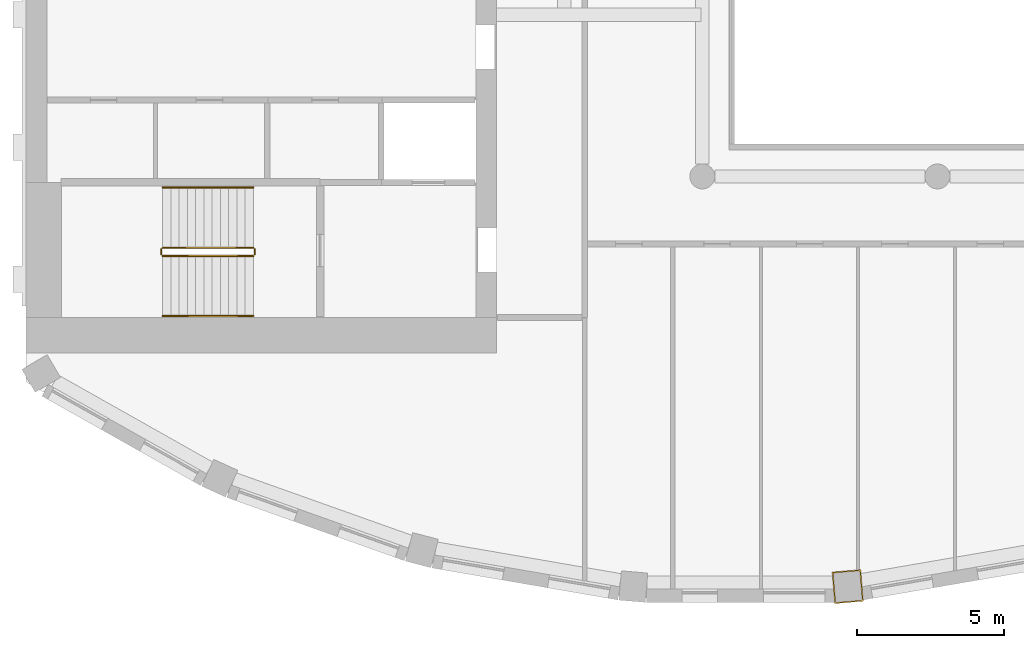
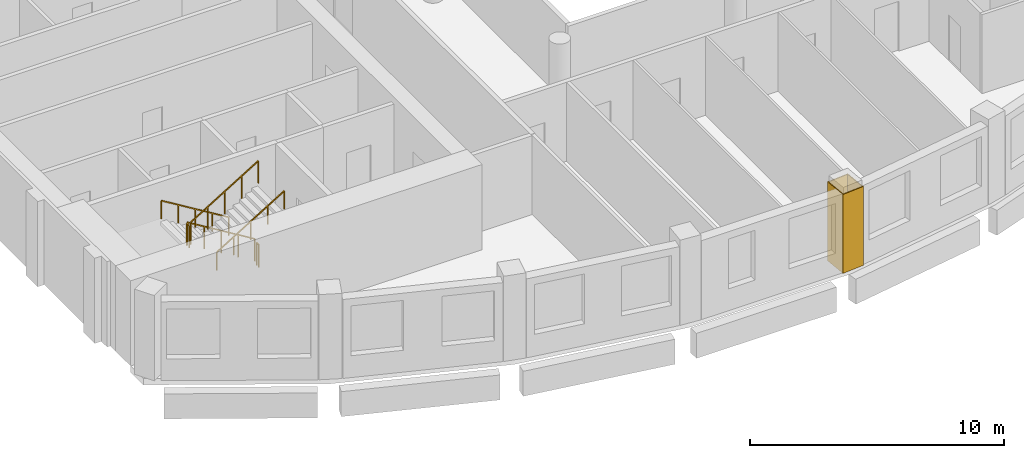
# One storey, part 10 of 14: 6 railings, 1 covering.
"""IFC4 building model written with IfcOpenShell, lengths in metres."""

from ifc_helpers import new_model, si_unit, direction, frame, origin, origin_2d, place, context, subcontext, project, spatial, polyline, rectangle, outline, extrude, material, layer, layer_set, type_object, element, save


model = new_model("IFC4")

# Units and contexts
model_context = context("Model", 3, precision=1e-05, world=origin(), true_north=direction((0.0, 1.0)))
body_context = subcontext(model_context, "Body", "Model", "MODEL_VIEW")
ifc_project = project(units=[si_unit("LENGTHUNIT", "METRE"), si_unit("AREAUNIT", "SQUARE_METRE"), si_unit("VOLUMEUNIT", "CUBIC_METRE"), si_unit("PLANEANGLEUNIT", "RADIAN"), si_unit("MASSUNIT", "GRAM", prefix="KILO")], contexts=[model_context])

# Site, building, storey
site_placement = place(None, origin())
site = spatial("IfcSite", under=ifc_project, at=site_placement, CompositionType="ELEMENT")
building_placement = place(site_placement, origin())
building = spatial("IfcBuilding", under=site, at=building_placement, Name="Cypress Arch Tower", CompositionType="ELEMENT")
storey_placement = place(building_placement, frame((0.0, 0.0, 304.89990234375)))
storey = spatial("IfcBuildingStorey", under=building, at=storey_placement, Name="L69", CompositionType="ELEMENT", Elevation=304.89990234375)

# Covering
ifc_material_1 = material(Name="Painted plasterboard column casing")
ifc_layer = layer(ifc_material_1, 0.0400390625)
ifc_layer_set = layer_set([ifc_layer], Name="Column casing CK40")
covering_type = type_object("IfcCoveringType", Name="Column casing CK40", PredefinedType="CLADDING", material=ifc_layer_set)
covering_placement = place(storey_placement, origin())
element("IfcCovering", 1, at=covering_placement, inside=storey, type_object=covering_type, Name="Column casing L69 CC15", PredefinedType="CLADDING", context=body_context, shape_type="SweptSolid", body=[
    extrude(outline(polyline([(-2.495361328125, -24.533203125), (-2.587158203125, -23.457275390625), (-1.61083984375, -23.373779296875), (-1.518798828125, -24.44970703125), (-2.495361328125, -24.533203125)]), holes=[polyline([(-2.458740234375, -24.489990234375), (-1.56201171875, -24.413330078125), (-1.647216796875, -23.4169921875), (-2.5439453125, -23.49365234375), (-2.458740234375, -24.489990234375)])]), origin(), (0.0, 0.0, 1.0), 3.800048828125),
])

# Railings
ifc_material_2 = material(Name="Black powder-coated steel square bar 48 mm", Category="steel")
railing_type_1 = type_object("IfcRailingType", Name="Stair handrail HR1", PredefinedType="HANDRAIL", material=ifc_material_2)
railing_1_placement = place(storey_placement, frame((-22.27490234375, -10.375, 0.1708984375)))
element("IfcRailing", 2, at=railing_1_placement, inside=storey, type_object=railing_type_1, Name="L69 A stair handrail 1", PredefinedType="HANDRAIL", context=body_context, shape_type="SweptSolid", body=[
    extrude(rectangle(XDim=0.048095703125, YDim=0.048095703125, at=origin_2d()), frame((0.0, 0.0, 0.8759765625), z_axis=(-0.853666305674, 0.0, 0.52082035152), x_axis=(0.0, -1.0, 0.0)), (0.0, 0.0, 1.0), 3.608154296875),
    extrude(rectangle(XDim=0.0419921875, YDim=0.0419921875, at=origin_2d()), origin(), (0.0, 0.0, 1.0), 0.851806640625),
    extrude(rectangle(XDim=0.0419921875, YDim=0.0419921875, at=origin_2d()), frame((-0.77001953125, 0.0, 0.4697265625)), (0.0, 0.0, 1.0), 0.851806640625),
    extrude(rectangle(XDim=0.0419921875, YDim=0.0419921875, at=origin_2d()), frame((-1.5400390625, 0.0, 0.939453125)), (0.0, 0.0, 1.0), 0.851806640625),
    extrude(rectangle(XDim=0.0419921875, YDim=0.0419921875, at=origin_2d()), frame((-2.31005859375, 0.0, 1.409423828125)), (0.0, 0.0, 1.0), 0.851806640625),
    extrude(rectangle(XDim=0.0419921875, YDim=0.0419921875, at=origin_2d()), frame((-3.080078125, 0.0, 1.879150390625)), (0.0, 0.0, 1.0), 0.851806640625),
])
railing_2_placement = place(storey_placement, frame((-25.35498046875, -14.75, 2.220947265625)))
element("IfcRailing", 3, at=railing_2_placement, inside=storey, type_object=railing_type_1, Name="L69 A stair handrail 2", PredefinedType="HANDRAIL", context=body_context, shape_type="SweptSolid", body=[
    extrude(rectangle(XDim=0.048095703125, YDim=0.048095703125, at=origin_2d()), frame((0.0, 0.0, 0.8759765625), z_axis=(0.853666305674, 0.0, 0.52082035152), x_axis=(0.0, 1.0, 0.0)), (0.0, 0.0, 1.0), 3.608154296875),
    extrude(rectangle(XDim=0.0419921875, YDim=0.0419921875, at=origin_2d()), origin(), (0.0, 0.0, 1.0), 0.851806640625),
    extrude(rectangle(XDim=0.0419921875, YDim=0.0419921875, at=origin_2d()), frame((0.77001953125, 0.0, 0.4697265625)), (0.0, 0.0, 1.0), 0.851806640625),
    extrude(rectangle(XDim=0.0419921875, YDim=0.0419921875, at=origin_2d()), frame((1.5400390625, 0.0, 0.939453125)), (0.0, 0.0, 1.0), 0.851806640625),
    extrude(rectangle(XDim=0.0419921875, YDim=0.0419921875, at=origin_2d()), frame((2.31005859375, 0.0, 1.409423828125)), (0.0, 0.0, 1.0), 0.851806640625),
    extrude(rectangle(XDim=0.0419921875, YDim=0.0419921875, at=origin_2d()), frame((3.080078125, 0.0, 1.879150390625)), (0.0, 0.0, 1.0), 0.851806640625),
])
ifc_material_3 = material(Name="Black powder-coated steel balusters", Category="steel")
railing_type_2 = type_object("IfcRailingType", Name="Stair well guard G1", PredefinedType="GUARDRAIL", material=ifc_material_3)
railing_3_placement = place(storey_placement, frame((-22.27490234375, -12.425048828125, 0.1708984375)))
element("IfcRailing", 4, at=railing_3_placement, inside=storey, type_object=railing_type_2, Name="L69 A stair guard 1", PredefinedType="GUARDRAIL", context=body_context, shape_type="SweptSolid", body=[
    extrude(rectangle(XDim=0.048095703125, YDim=0.048095703125, at=origin_2d()), frame((0.0, 0.0, 1.076171875), z_axis=(-0.853666305674, 0.0, 0.52082035152), x_axis=(0.0, -1.0, 0.0)), (0.0, 0.0, 1.0), 3.608154296875),
    extrude(rectangle(XDim=0.0419921875, YDim=0.0419921875, at=origin_2d()), origin(), (0.0, 0.0, 1.0), 1.052001953125),
    extrude(rectangle(XDim=0.0419921875, YDim=0.0419921875, at=origin_2d()), frame((-0.77001953125, 0.0, 0.4697265625)), (0.0, 0.0, 1.0), 1.052001953125),
    extrude(rectangle(XDim=0.0419921875, YDim=0.0419921875, at=origin_2d()), frame((-1.5400390625, 0.0, 0.939453125)), (0.0, 0.0, 1.0), 1.052001953125),
    extrude(rectangle(XDim=0.0419921875, YDim=0.0419921875, at=origin_2d()), frame((-2.31005859375, 0.0, 1.409423828125)), (0.0, 0.0, 1.0), 1.052001953125),
    extrude(rectangle(XDim=0.0419921875, YDim=0.0419921875, at=origin_2d()), frame((-3.080078125, 0.0, 1.879150390625)), (0.0, 0.0, 1.0), 1.052001953125),
])
railing_4_placement = place(storey_placement, frame((-25.405029296875, -12.47509765625, 2.050048828125)))
element("IfcRailing", 5, at=railing_4_placement, inside=storey, type_object=railing_type_2, Name="L69 A stair guard 2", PredefinedType="GUARDRAIL", context=body_context, shape_type="SweptSolid", body=[
    extrude(rectangle(XDim=0.048095703125, YDim=0.048095703125, at=origin_2d()), frame((0.0, 0.0, 1.076171875), z_axis=(0.0, -1.0, 0.0), x_axis=(1.0, 0.0, 0.0)), (0.0, 0.0, 1.0), 0.1748046875),
    extrude(rectangle(XDim=0.0419921875, YDim=0.0419921875, at=origin_2d()), origin(), (0.0, 0.0, 1.0), 1.052001953125),
    extrude(rectangle(XDim=0.0419921875, YDim=0.0419921875, at=origin_2d()), frame((0.0, -0.1748046875, 0.0)), (0.0, 0.0, 1.0), 1.052001953125),
])
railing_5_placement = place(storey_placement, frame((-25.35498046875, -12.699951171875, 2.220947265625)))
element("IfcRailing", 6, at=railing_5_placement, inside=storey, type_object=railing_type_2, Name="L69 A stair guard 3", PredefinedType="GUARDRAIL", context=body_context, shape_type="SweptSolid", body=[
    extrude(rectangle(XDim=0.048095703125, YDim=0.048095703125, at=origin_2d()), frame((0.0, 0.0, 1.076171875), z_axis=(0.853666305674, 0.0, 0.52082035152), x_axis=(0.0, 1.0, 0.0)), (0.0, 0.0, 1.0), 3.608154296875),
    extrude(rectangle(XDim=0.0419921875, YDim=0.0419921875, at=origin_2d()), origin(), (0.0, 0.0, 1.0), 1.052001953125),
    extrude(rectangle(XDim=0.0419921875, YDim=0.0419921875, at=origin_2d()), frame((0.77001953125, 0.0, 0.4697265625)), (0.0, 0.0, 1.0), 1.052001953125),
    extrude(rectangle(XDim=0.0419921875, YDim=0.0419921875, at=origin_2d()), frame((1.5400390625, 0.0, 0.939453125)), (0.0, 0.0, 1.0), 1.052001953125),
    extrude(rectangle(XDim=0.0419921875, YDim=0.0419921875, at=origin_2d()), frame((2.31005859375, 0.0, 1.409423828125)), (0.0, 0.0, 1.0), 1.052001953125),
    extrude(rectangle(XDim=0.0419921875, YDim=0.0419921875, at=origin_2d()), frame((3.080078125, 0.0, 1.879150390625)), (0.0, 0.0, 1.0), 1.052001953125),
])
railing_6_placement = place(storey_placement, frame((-22.22509765625, -12.47509765625, 0.0)))
element("IfcRailing", 7, at=railing_6_placement, inside=storey, type_object=railing_type_2, Name="L69 A stair guard 4", PredefinedType="GUARDRAIL", context=body_context, shape_type="SweptSolid", body=[
    extrude(rectangle(XDim=0.048095703125, YDim=0.048095703125, at=origin_2d()), frame((0.0, 0.0, 1.076171875), z_axis=(0.0, -1.0, 0.0), x_axis=(1.0, 0.0, 0.0)), (0.0, 0.0, 1.0), 0.1748046875),
    extrude(rectangle(XDim=0.0419921875, YDim=0.0419921875, at=origin_2d()), origin(), (0.0, 0.0, 1.0), 1.052001953125),
    extrude(rectangle(XDim=0.0419921875, YDim=0.0419921875, at=origin_2d()), frame((0.0, -0.1748046875, 0.0)), (0.0, 0.0, 1.0), 1.052001953125),
])

save(model, "model.ifc")
